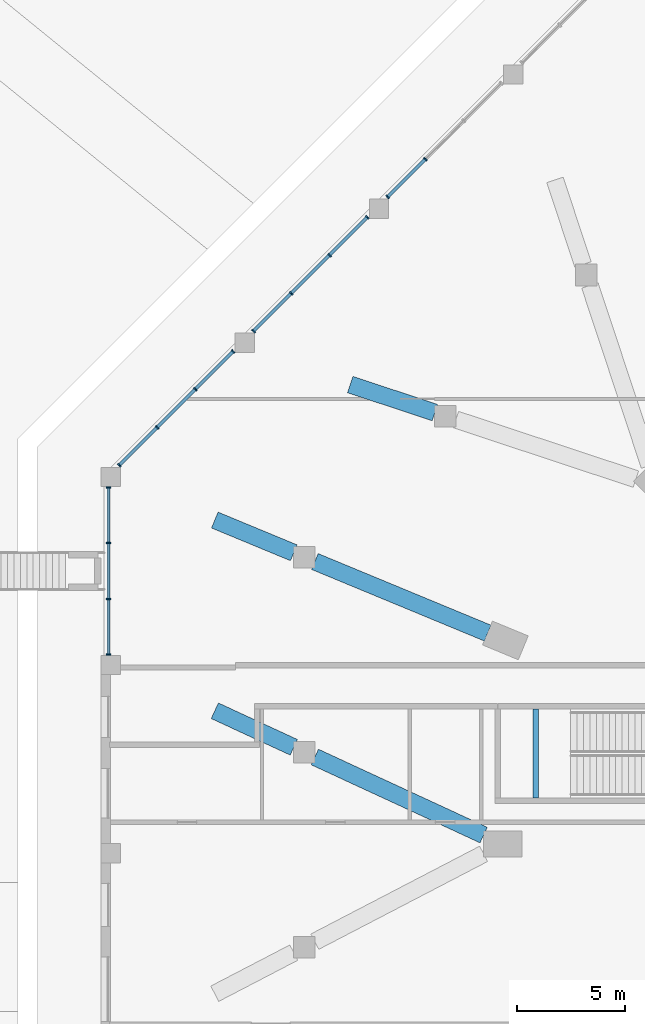
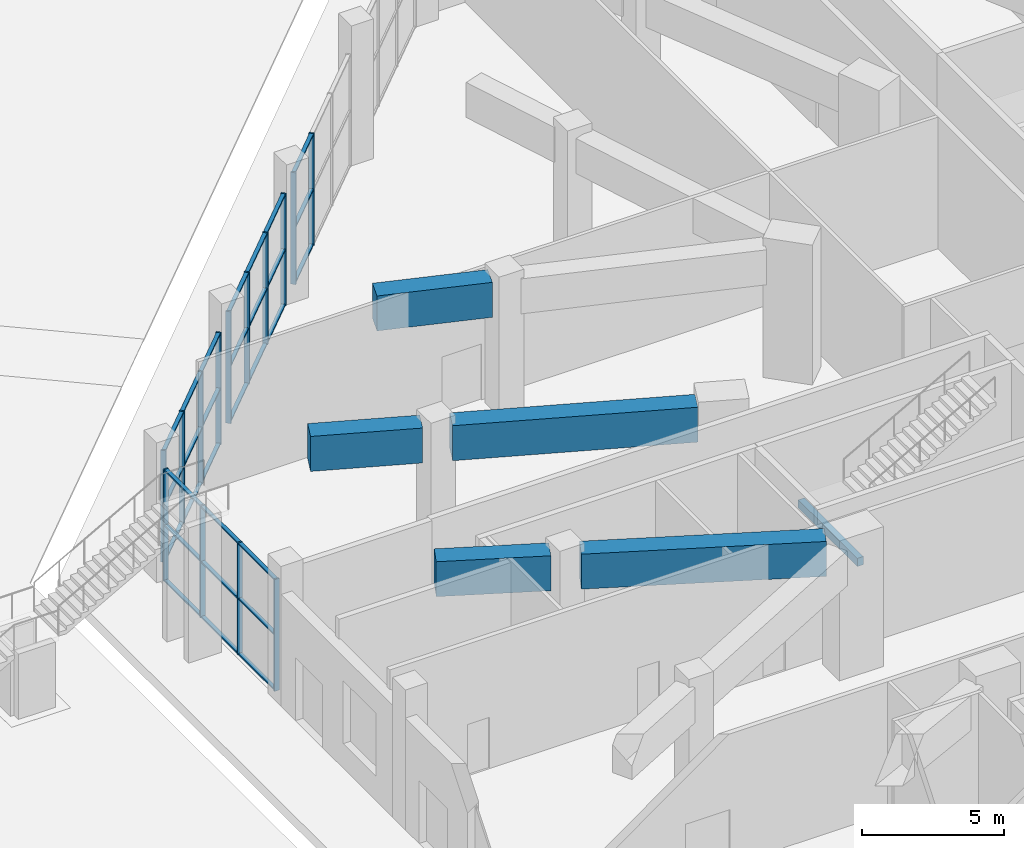
# One storey, part 10 of 36: 44 members, 6 beams, 4 elements without a shape of their own.
"""IFC4 building model written with IfcOpenShell, lengths in metres."""

import ifcopenshell
import ifcopenshell.guid

model = None  # the IFC model being written
_history = None  # IfcOwnerHistory: only IFC2X3 demands one
_inside = {}  # id of a spatial element -> (the spatial element, [elements in it])
_under = {}  # id of a project, library or spatial element -> (it, [spatial elements below it])
_declared = {}  # id of a project -> (the project, [libraries it declares])
_typed = {}  # id of a type object -> (the type object, [elements of that type])
_made_of = {}  # id of a material, layer set ... -> (it, [elements and type objects made of it])


def new_model(schema):
    """Start an empty IFC model of exactly this schema.

    Asked for "IFC4X3", IfcOpenShell would pick the latest addendum, in which some entities
    have other attributes; the version numbers below select the first issue.
    IFC2X3 requires an IfcOwnerHistory on every rooted entity: one is made here for all.
    """
    global model, _history
    if schema == "IFC4X3":
        model = ifcopenshell.file(schema_version=(4, 3, 0, 0))
    else:
        model = ifcopenshell.file(schema=schema)
    _inside.clear()
    _under.clear()
    _declared.clear()
    _typed.clear()
    _made_of.clear()
    _history = None
    if model.schema == "IFC2X3":
        org = make("IfcOrganization", Name="unknown")
        user = make(
            "IfcPersonAndOrganization",
            ThePerson=make("IfcPerson", FamilyName="unknown"),
            TheOrganization=org,
        )
        app = make(
            "IfcApplication",
            ApplicationDeveloper=org,
            Version="unknown",
            ApplicationFullName="unknown",
            ApplicationIdentifier="unknown",
        )
        _history = make(
            "IfcOwnerHistory",
            OwningUser=user,
            OwningApplication=app,
            ChangeAction="ADDED",
            CreationDate=0,
        )
    return model


def make(cls, **values):
    """One entity of the class cls with the attributes given. An attribute that is None is left unset."""
    return model.create_entity(
        cls, **{name: value for name, value in values.items() if value is not None}
    )


def rooted(cls, **values):
    """An entity with a GlobalId (a new one), such as an element, a storey or a relation."""
    return make(cls, GlobalId=ifcopenshell.guid.new(), OwnerHistory=_history, **values)


def si_unit(unit_type, name, prefix=None):
    """IfcSIUnit, for example si_unit("LENGTHUNIT", "METRE", prefix="MILLI")."""
    return make("IfcSIUnit", UnitType=unit_type, Prefix=prefix, Name=name)


def assignment(units):
    """IfcUnitAssignment: the units of a project."""
    return None if units is None else make("IfcUnitAssignment", Units=units)


def point(xyz):
    """IfcCartesianPoint."""
    return None if xyz is None else make("IfcCartesianPoint", Coordinates=xyz)


def direction(xyz):
    """IfcDirection."""
    return None if xyz is None else make("IfcDirection", DirectionRatios=xyz)


def frame(location, z_axis=None, x_axis=None):
    """IfcAxis2Placement3D, a coordinate frame: its origin and axes. An axis left out is left unset."""
    return make(
        "IfcAxis2Placement3D",
        Location=point(location),
        Axis=direction(z_axis),
        RefDirection=direction(x_axis),
    )


def frame_2d(location, x_axis=None):
    """IfcAxis2Placement2D, a coordinate frame in the plane: its origin and x axis."""
    return make(
        "IfcAxis2Placement2D", Location=point(location), RefDirection=direction(x_axis)
    )


def origin():
    """The frame at (0, 0, 0) with its axes left unset."""
    return frame((0.0, 0.0, 0.0))


def origin_2d():
    """The frame at (0, 0) in the plane with its x axis left unset."""
    return frame_2d((0.0, 0.0))


def place(relative_to, where):
    """IfcLocalPlacement: puts the frame where relative to a parent placement (None: the world)."""
    return make(
        "IfcLocalPlacement", PlacementRelTo=relative_to, RelativePlacement=where
    )


def context(
    kind, dimensions, precision=None, world=None, true_north=None, identifier=None
):
    """IfcGeometricRepresentationContext, for example the 3D "Model" context."""
    return make(
        "IfcGeometricRepresentationContext",
        ContextIdentifier=identifier,
        ContextType=kind,
        CoordinateSpaceDimension=dimensions,
        Precision=precision,
        WorldCoordinateSystem=world,
        TrueNorth=true_north,
    )


def subcontext(parent, identifier, kind, view, scale=None):
    """IfcGeometricRepresentationSubContext, for example "Body" below "Model"."""
    return make(
        "IfcGeometricRepresentationSubContext",
        ContextIdentifier=identifier,
        ContextType=kind,
        ParentContext=parent,
        TargetScale=scale,
        TargetView=view,
    )


def project(units=None, contexts=None):
    """IfcProject with its units and contexts."""
    return rooted(
        "IfcProject",
        Name="project",
        RepresentationContexts=contexts,
        UnitsInContext=assignment(units),
    )


def spatial(cls, under=None, at=None, **own):
    """A site, building, storey or space (cls), placed at a placement, below another one or the project."""
    s = rooted(cls, ObjectPlacement=at, **own)
    if under is not None:
        _under.setdefault(under.id(), (under, []))[1].append(s)
    return s


def profile(cls, at=None, kind="AREA", **sizes):
    """A parametric profile (cls). Its sizes go by their IFC names, for example OverallWidth=200.0."""
    return make(cls, ProfileType=kind, Position=at, **sizes)


def rectangle(**sizes):
    """IfcRectangleProfileDef."""
    return profile("IfcRectangleProfileDef", **sizes)


def extrude(swept, where, along, depth):
    """IfcExtrudedAreaSolid: the profile swept, set in the frame where, extruded along a direction by depth."""
    return make(
        "IfcExtrudedAreaSolid",
        SweptArea=swept,
        Position=where,
        ExtrudedDirection=direction(along),
        Depth=depth,
    )


def shape(context_of_items, identifier, shape_type, items):
    """IfcShapeRepresentation: the items that make up one representation, for example the "Body"."""
    return make(
        "IfcShapeRepresentation",
        ContextOfItems=context_of_items,
        RepresentationIdentifier=identifier,
        RepresentationType=shape_type,
        Items=items,
    )


def material(Name=None, Category=None):
    """IfcMaterial."""
    return make("IfcMaterial", Name=Name, Category=Category)


def material_profile(
    of_material, cross_section, Name=None, Category=None, Priority=None
):
    """IfcMaterialProfile: a cross section and its material."""
    return make(
        "IfcMaterialProfile",
        Name=Name,
        Material=of_material,
        Profile=cross_section,
        Priority=Priority,
        Category=Category,
    )


def profile_set(profiles, Name=None, composite=None):
    """IfcMaterialProfileSet."""
    return make(
        "IfcMaterialProfileSet",
        Name=Name,
        MaterialProfiles=profiles,
        CompositeProfile=composite,
    )


def made_of(thing, what):
    """Note that an element or type object is made of a material, layer set ...; save() writes the relation."""
    if what is not None:
        _made_of.setdefault(what.id(), (what, []))[1].append(thing)
    return thing


def type_object(cls, material=None, **own):
    """A type object (cls), such as IfcWallType, which elements share."""
    return made_of(rooted(cls, **own), material)


def element(
    cls,
    number,
    at=None,
    inside=None,
    cuts=None,
    type_object=None,
    material=None,
    context=None,
    identifier="Body",
    shape_type=None,
    held_by="IfcProductDefinitionShape",
    body=None,
    shapes=None,
    **own,
):
    """One element of the class cls, such as IfcWall. Its Tag is "e" and its number.

    at: its placement. inside: the storey or other place that contains it. cuts: it is an
    opening in that element (IfcRelVoidsElement). A single representation is given by context,
    identifier, shape_type and body (its items); several are given by shapes. held_by: the class
    of the entity that holds the representations. save() writes the other relations.
    """
    e = rooted(cls, Tag="e%d" % number, ObjectPlacement=at, **own)
    if body is not None:
        shapes = [shape(context, identifier, shape_type, body)]
    if shapes is not None:
        e.Representation = make(held_by, Representations=shapes)
    if inside is not None:
        _inside.setdefault(inside.id(), (inside, []))[1].append(e)
    if cuts is not None:
        rooted(
            "IfcRelVoidsElement", RelatingBuildingElement=cuts, RelatedOpeningElement=e
        )
    if type_object is not None:
        _typed.setdefault(type_object.id(), (type_object, []))[1].append(e)
    return made_of(e, material)


def aggregate(whole, parts):
    """IfcRelAggregates: a whole, such as a stair, and the parts it consists of."""
    return rooted("IfcRelAggregates", RelatingObject=whole, RelatedObjects=parts)


def save(model, path):
    """Write the relations noted so far, then the file.

    IfcRelAggregates (storeys below a building ...), IfcRelContainedInSpatialStructure (elements
    in a storey), IfcRelDefinesByType, IfcRelAssociatesMaterial and IfcRelDeclares: one each for
    every whole, place, type object, material and project.
    """
    for whole, parts in _under.values():
        aggregate(whole, parts)
    for where, things in _inside.values():
        rooted(
            "IfcRelContainedInSpatialStructure",
            RelatedElements=things,
            RelatingStructure=where,
        )
    for kind, things in _typed.values():
        rooted("IfcRelDefinesByType", RelatedObjects=things, RelatingType=kind)
    for what, things in _made_of.values():
        rooted("IfcRelAssociatesMaterial", RelatedObjects=things, RelatingMaterial=what)
    for by, libraries in _declared.values():
        rooted("IfcRelDeclares", RelatingContext=by, RelatedDefinitions=libraries)
    model.write(path)


model = new_model("IFC4")

# Units and contexts
model_context = context("Model", 3, precision=1e-05, world=origin(), true_north=direction((0.0, 1.0)))
body_context = subcontext(model_context, "Body", "Model", "MODEL_VIEW")
ifc_project = project(units=[si_unit("LENGTHUNIT", "METRE"), si_unit("AREAUNIT", "SQUARE_METRE"), si_unit("VOLUMEUNIT", "CUBIC_METRE"), si_unit("PLANEANGLEUNIT", "RADIAN"), si_unit("MASSUNIT", "GRAM", prefix="KILO")], contexts=[model_context])

# Site, building, storey
site_placement = place(None, origin())
site = spatial("IfcSite", under=ifc_project, at=site_placement, CompositionType="ELEMENT")
building_placement = place(site_placement, origin())
building = spatial("IfcBuilding", under=site, at=building_placement, Name="Msitu Wima Residences", CompositionType="ELEMENT")
storey_placement = place(building_placement, origin())
storey = spatial("IfcBuildingStorey", under=building, at=storey_placement, Name="L00", CompositionType="ELEMENT", Elevation=0.0)

# Beam
ifc_material_1 = material(Name="Concrete C40/50", Category="concrete")
ifc_material_profile_1 = material_profile(ifc_material_1, rectangle(XDim=0.25, YDim=0.35009765625, at=origin_2d()), Name="RC 250x350")
ifc_profile_set_1 = profile_set([ifc_material_profile_1], Name="Concrete C40/50")
beam_type_1 = type_object("IfcBeamType", Name="Landing beam RC 250x350", PredefinedType="BEAM", material=ifc_profile_set_1)
beam_1_placement = place(storey_placement, frame((-27.050048828125, 6.925048828125, 2.625), z_axis=(0.0, 1.0, 0.0), x_axis=(-1.0, 0.0, 0.0)))
element("IfcBeam", 1, at=beam_1_placement, inside=storey, type_object=beam_type_1, Name="Podium exit stair 6 landing beam", PredefinedType="BEAM", context=body_context, shape_type="SweptSolid", body=[
    extrude(rectangle(XDim=0.25, YDim=0.35009765625, at=origin_2d()), origin(), (0.0, 0.0, 1.0), 4.14990234375),
])

# Curtain wall, members
ifc_material_2 = material(Name="Anodised aluminium, bronze finish, clear laminated low-emissivity double glazing", Category="aluminium")
curtain_wall_type = type_object("IfcCurtainWallType", Name="Curtain wall CW1 shopfront", PredefinedType="NOTDEFINED", material=ifc_material_2)
curtain_wall_1_placement = place(storey_placement, origin())
curtain_wall_1 = element("IfcCurtainWall", 2, at=curtain_wall_1_placement, inside=storey, type_object=curtain_wall_type, Name="Curtain wall CW1 L00 NW1", PredefinedType="NOTDEFINED")
ifc_material_3 = material(Name="Anodised aluminium, bronze finish", Category="aluminium")
ifc_material_profile_2 = material_profile(ifc_material_3, rectangle(XDim=0.199951171875, YDim=0.06494140625, at=origin_2d()), Name="Mullion 65x200")
ifc_profile_set_2 = profile_set([ifc_material_profile_2], Name="Anodised aluminium, bronze finish")
member_type_1 = type_object("IfcMemberType", Name="Mullion CW1 65x200", PredefinedType="MULLION", material=ifc_profile_set_2)
member_1_placement = place(storey_placement, frame((-32.169921875, 36.627197265625, 0.0), z_axis=(0.0, 0.0, 1.0), x_axis=(0.707106781187, -0.707106781187, 0.0)))
member_1 = element("IfcMember", 3, at=member_1_placement, type_object=member_type_1, Name="CW1 mullion 3", PredefinedType="MULLION", context=body_context, shape_type="SweptSolid", body=[
    extrude(rectangle(XDim=0.199951171875, YDim=0.06494140625, at=origin_2d()), origin(), (0.0, 0.0, 1.0), 4.800048828125),
])
member_2_placement = place(storey_placement, frame((-33.925537109375, 34.87158203125, 0.0), z_axis=(0.0, 0.0, 1.0), x_axis=(0.707106781187, -0.707106781187, 0.0)))
member_2 = element("IfcMember", 4, at=member_2_placement, type_object=member_type_1, Name="CW1 mullion 4", PredefinedType="MULLION", context=body_context, shape_type="SweptSolid", body=[
    extrude(rectangle(XDim=0.199951171875, YDim=0.06494140625, at=origin_2d()), origin(), (0.0, 0.0, 1.0), 4.800048828125),
])

curtain_wall_2_placement = place(storey_placement, origin())
curtain_wall_2 = element("IfcCurtainWall", 5, at=curtain_wall_2_placement, inside=storey, type_object=curtain_wall_type, Name="Curtain wall CW1 L00 NW2", PredefinedType="NOTDEFINED")
member_3_placement = place(storey_placement, frame((-34.87158203125, 33.925537109375, 0.0), z_axis=(0.0, 0.0, 1.0), x_axis=(0.707106781187, -0.707106781187, 0.0)))
member_3 = element("IfcMember", 6, at=member_3_placement, type_object=member_type_1, Name="CW1 mullion 1", PredefinedType="MULLION", context=body_context, shape_type="SweptSolid", body=[
    extrude(rectangle(XDim=0.199951171875, YDim=0.06494140625, at=origin_2d()), origin(), (0.0, 0.0, 1.0), 4.800048828125),
])
member_4_placement = place(storey_placement, frame((-36.627197265625, 32.169921875, 0.0), z_axis=(0.0, 0.0, 1.0), x_axis=(0.707106781187, -0.707106781187, 0.0)))
member_4 = element("IfcMember", 7, at=member_4_placement, type_object=member_type_1, Name="CW1 mullion 2", PredefinedType="MULLION", context=body_context, shape_type="SweptSolid", body=[
    extrude(rectangle(XDim=0.199951171875, YDim=0.06494140625, at=origin_2d()), origin(), (0.0, 0.0, 1.0), 4.800048828125),
])
member_5_placement = place(storey_placement, frame((-38.406005859375, 30.391357421875, 0.0), z_axis=(0.0, 0.0, 1.0), x_axis=(0.707106781187, -0.707106781187, 0.0)))
member_5 = element("IfcMember", 8, at=member_5_placement, type_object=member_type_1, Name="CW1 mullion 3", PredefinedType="MULLION", context=body_context, shape_type="SweptSolid", body=[
    extrude(rectangle(XDim=0.199951171875, YDim=0.06494140625, at=origin_2d()), origin(), (0.0, 0.0, 1.0), 4.800048828125),
])
member_6_placement = place(storey_placement, frame((-40.16162109375, 28.635498046875, 0.0), z_axis=(0.0, 0.0, 1.0), x_axis=(0.707106781187, -0.707106781187, 0.0)))
member_6 = element("IfcMember", 9, at=member_6_placement, type_object=member_type_1, Name="CW1 mullion 4", PredefinedType="MULLION", context=body_context, shape_type="SweptSolid", body=[
    extrude(rectangle(XDim=0.199951171875, YDim=0.06494140625, at=origin_2d()), origin(), (0.0, 0.0, 1.0), 4.800048828125),
])

curtain_wall_3_placement = place(storey_placement, origin())
curtain_wall_3 = element("IfcCurtainWall", 10, at=curtain_wall_3_placement, inside=storey, type_object=curtain_wall_type, Name="Curtain wall CW1 L00 NW3", PredefinedType="NOTDEFINED")
member_7_placement = place(storey_placement, frame((-41.107666015625, 27.689697265625, 0.0), z_axis=(0.0, 0.0, 1.0), x_axis=(0.707106847447, -0.707106714926, 0.0)))
member_7 = element("IfcMember", 11, at=member_7_placement, type_object=member_type_1, Name="CW1 mullion 1", PredefinedType="MULLION", context=body_context, shape_type="SweptSolid", body=[
    extrude(rectangle(XDim=0.199951171875, YDim=0.06494140625, at=origin_2d()), origin(), (0.0, 0.0, 1.0), 4.800048828125),
])
member_8_placement = place(storey_placement, frame((-42.86328125, 25.933837890625, 0.0), z_axis=(0.0, 0.0, 1.0), x_axis=(0.707106847447, -0.707106714926, 0.0)))
member_8 = element("IfcMember", 12, at=member_8_placement, type_object=member_type_1, Name="CW1 mullion 2", PredefinedType="MULLION", context=body_context, shape_type="SweptSolid", body=[
    extrude(rectangle(XDim=0.199951171875, YDim=0.06494140625, at=origin_2d()), origin(), (0.0, 0.0, 1.0), 4.800048828125),
])
member_9_placement = place(storey_placement, frame((-44.64208984375, 24.1552734375, 0.0), z_axis=(0.0, 0.0, 1.0), x_axis=(0.707106847447, -0.707106714926, 0.0)))
member_9 = element("IfcMember", 13, at=member_9_placement, type_object=member_type_1, Name="CW1 mullion 3", PredefinedType="MULLION", context=body_context, shape_type="SweptSolid", body=[
    extrude(rectangle(XDim=0.199951171875, YDim=0.06494140625, at=origin_2d()), origin(), (0.0, 0.0, 1.0), 4.800048828125),
])
member_10_placement = place(storey_placement, frame((-46.397705078125, 22.3994140625, 0.0), z_axis=(0.0, 0.0, 1.0), x_axis=(0.707106847447, -0.707106714926, 0.0)))
member_10 = element("IfcMember", 14, at=member_10_placement, type_object=member_type_1, Name="CW1 mullion 4", PredefinedType="MULLION", context=body_context, shape_type="SweptSolid", body=[
    extrude(rectangle(XDim=0.199951171875, YDim=0.06494140625, at=origin_2d()), origin(), (0.0, 0.0, 1.0), 4.800048828125),
])

curtain_wall_4_placement = place(storey_placement, origin())
curtain_wall_4 = element("IfcCurtainWall", 15, at=curtain_wall_4_placement, inside=storey, type_object=curtain_wall_type, Name="Curtain wall CW1 L00 W0", PredefinedType="NOTDEFINED")
member_11_placement = place(storey_placement, frame((-46.89990234375, 21.373291015625, 0.0), z_axis=(0.0, 0.0, 1.0), x_axis=(1.0, 0.0, 0.0)))
member_11 = element("IfcMember", 16, at=member_11_placement, type_object=member_type_1, Name="CW1 mullion 1", PredefinedType="MULLION", context=body_context, shape_type="SweptSolid", body=[
    extrude(rectangle(XDim=0.199951171875, YDim=0.06494140625, at=origin_2d()), origin(), (0.0, 0.0, 1.0), 4.800048828125),
])
member_12_placement = place(storey_placement, frame((-46.89990234375, 18.791748046875, 0.0), z_axis=(0.0, 0.0, 1.0), x_axis=(1.0, 0.0, 0.0)))
member_12 = element("IfcMember", 17, at=member_12_placement, type_object=member_type_1, Name="CW1 mullion 2", PredefinedType="MULLION", context=body_context, shape_type="SweptSolid", body=[
    extrude(rectangle(XDim=0.199951171875, YDim=0.06494140625, at=origin_2d()), origin(), (0.0, 0.0, 1.0), 4.800048828125),
])
member_13_placement = place(storey_placement, frame((-46.89990234375, 16.177734375, 0.0), z_axis=(0.0, 0.0, 1.0), x_axis=(1.0, 0.0, 0.0)))
member_13 = element("IfcMember", 18, at=member_13_placement, type_object=member_type_1, Name="CW1 mullion 3", PredefinedType="MULLION", context=body_context, shape_type="SweptSolid", body=[
    extrude(rectangle(XDim=0.199951171875, YDim=0.06494140625, at=origin_2d()), origin(), (0.0, 0.0, 1.0), 4.800048828125),
])
member_14_placement = place(storey_placement, frame((-46.89990234375, 13.595947265625, 0.0), z_axis=(0.0, 0.0, 1.0), x_axis=(1.0, 0.0, 0.0)))
member_14 = element("IfcMember", 19, at=member_14_placement, type_object=member_type_1, Name="CW1 mullion 4", PredefinedType="MULLION", context=body_context, shape_type="SweptSolid", body=[
    extrude(rectangle(XDim=0.199951171875, YDim=0.06494140625, at=origin_2d()), origin(), (0.0, 0.0, 1.0), 4.800048828125),
])

# Beams
ifc_material_4 = material(Name="Concrete C60/75", Category="concrete")
ifc_material_profile_3 = material_profile(ifc_material_4, rectangle(XDim=0.800048828125, YDim=1.5, at=origin_2d()), Name="RC 800x1500")
ifc_profile_set_3 = profile_set([ifc_material_profile_3], Name="Concrete C60/75")
beam_type_2 = type_object("IfcBeamType", Name="Podium cantilever girder RC 800x1500 Concrete C60/75", PredefinedType="BEAM", material=ifc_profile_set_3)
beam_2_placement = place(storey_placement, frame((-29.274658203125, 14.5966796875, 4.89990234375), z_axis=(-0.923886159432, 0.382667433171, 0.0), x_axis=(-0.382667433171, -0.923886159432, 0.0)))
element("IfcBeam", 20, at=beam_2_placement, inside=storey, type_object=beam_type_2, Name="Podium cantilever girder L01 C-W0 back-span", PredefinedType="BEAM", context=body_context, shape_type="SweptSolid", body=[
    extrude(rectangle(XDim=0.800048828125, YDim=1.5, at=origin_2d()), origin(), (0.0, 0.0, 1.0), 8.698486328125),
])
beam_3_placement = place(storey_placement, frame((-29.464111328125, 5.2109375, 4.89990234375), z_axis=(-0.907721172482, 0.419573918432, 0.0), x_axis=(-0.419573918432, -0.907721172482, 0.0)))
element("IfcBeam", 21, at=beam_3_placement, inside=storey, type_object=beam_type_2, Name="Podium cantilever girder L01 C-W1 back-span", PredefinedType="BEAM", context=body_context, shape_type="SweptSolid", body=[
    extrude(rectangle(XDim=0.800048828125, YDim=1.5, at=origin_2d()), origin(), (0.0, 0.0, 1.0), 8.644287109375),
])
ifc_material_profile_4 = material_profile(ifc_material_4, rectangle(XDim=0.800048828125, YDim=1.5, at=origin_2d()), Name="RC 800x1500")
ifc_profile_set_4 = profile_set([ifc_material_profile_4], Name="Concrete C60/75")
beam_type_3 = type_object("IfcBeamType", Name="Podium cantilever girder tip RC 800x1500 Concrete C60/75", PredefinedType="BEAM", material=ifc_profile_set_4)
beam_4_placement = place(storey_placement, frame((-31.731201171875, 24.846923828125, 4.89990234375), z_axis=(-0.949335494169, 0.314264410189, 0.0), x_axis=(-0.314264410189, -0.949335494169, 0.0)))
element("IfcBeam", 22, at=beam_4_placement, inside=storey, type_object=beam_type_3, Name="Podium cantilever girder L01 C-NW2 cantilever", PredefinedType="BEAM", context=body_context, shape_type="SweptSolid", body=[
    extrude(rectangle(XDim=0.800048828125, YDim=1.5, at=origin_2d()), origin(), (0.0, 0.0, 1.0), 4.142333984375),
])
beam_5_placement = place(storey_placement, frame((-38.288818359375, 18.330322265625, 4.89990234375), z_axis=(-0.923870855056, 0.382704380924, 0.0), x_axis=(-0.382704380924, -0.923870855056, 0.0)))
element("IfcBeam", 23, at=beam_5_placement, inside=storey, type_object=beam_type_3, Name="Podium cantilever girder L01 C-W0 cantilever", PredefinedType="BEAM", context=body_context, shape_type="SweptSolid", body=[
    extrude(rectangle(XDim=0.800048828125, YDim=1.5, at=origin_2d()), origin(), (0.0, 0.0, 1.0), 3.974853515625),
])
beam_6_placement = place(storey_placement, frame((-38.2890625, 9.2900390625, 4.89990234375), z_axis=(-0.907718998306, 0.419578622089, 0.0), x_axis=(-0.419578622089, -0.907718998306, 0.0)))
element("IfcBeam", 24, at=beam_6_placement, inside=storey, type_object=beam_type_3, Name="Podium cantilever girder L01 C-W1 cantilever", PredefinedType="BEAM", context=body_context, shape_type="SweptSolid", body=[
    extrude(rectangle(XDim=0.800048828125, YDim=1.5, at=origin_2d()), origin(), (0.0, 0.0, 1.0), 4.045166015625),
])

# Member
ifc_material_profile_5 = material_profile(ifc_material_3, rectangle(XDim=0.14990234375, YDim=0.06494140625, at=origin_2d()), Name="Transom 65x150")
ifc_profile_set_5 = profile_set([ifc_material_profile_5], Name="Anodised aluminium, bronze finish")
member_type_2 = type_object("IfcMemberType", Name="Transom CW1 65x150", PredefinedType="USERDEFINED", material=ifc_profile_set_5)
member_15_placement = place(storey_placement, frame((-32.19287109375, 36.604248046875, 0.032470703125), z_axis=(-0.707106781187, -0.707106781187, 0.0), x_axis=(0.707106781187, -0.707106781187, 0.0)))
member_15 = element("IfcMember", 25, at=member_15_placement, type_object=member_type_2, Name="CW1 transom 3.1", ObjectType="TRANSOM", PredefinedType="USERDEFINED", context=body_context, shape_type="SweptSolid", body=[
    extrude(rectangle(XDim=0.14990234375, YDim=0.06494140625, at=origin_2d()), origin(), (0.0, 0.0, 1.0), 2.41796875),
])

member_16_placement = place(storey_placement, frame((-32.19287109375, 36.604248046875, 2.39990234375), z_axis=(-0.707106781187, -0.707106781187, 0.0), x_axis=(0.707106781187, -0.707106781187, 0.0)))
member_16 = element("IfcMember", 26, at=member_16_placement, type_object=member_type_2, Name="CW1 transom 3.2", ObjectType="TRANSOM", PredefinedType="USERDEFINED", context=body_context, shape_type="SweptSolid", body=[
    extrude(rectangle(XDim=0.14990234375, YDim=0.06494140625, at=origin_2d()), origin(), (0.0, 0.0, 1.0), 2.41796875),
])

member_17_placement = place(storey_placement, frame((-32.19287109375, 36.604248046875, 4.767578125), z_axis=(-0.707106781187, -0.707106781187, 0.0), x_axis=(0.707106781187, -0.707106781187, 0.0)))
member_17 = element("IfcMember", 27, at=member_17_placement, type_object=member_type_2, Name="CW1 transom 3.3", ObjectType="TRANSOM", PredefinedType="USERDEFINED", context=body_context, shape_type="SweptSolid", body=[
    extrude(rectangle(XDim=0.14990234375, YDim=0.06494140625, at=origin_2d()), origin(), (0.0, 0.0, 1.0), 2.41796875),
])

aggregate(curtain_wall_1, [member_1, member_2, member_15, member_16, member_17])

member_18_placement = place(storey_placement, frame((-34.89453125, 33.902587890625, 0.032470703125), z_axis=(-0.707106781187, -0.707106781187, 0.0), x_axis=(0.707106781187, -0.707106781187, 0.0)))
member_18 = element("IfcMember", 28, at=member_18_placement, type_object=member_type_2, Name="CW1 transom 1.1", ObjectType="TRANSOM", PredefinedType="USERDEFINED", context=body_context, shape_type="SweptSolid", body=[
    extrude(rectangle(XDim=0.14990234375, YDim=0.06494140625, at=origin_2d()), origin(), (0.0, 0.0, 1.0), 2.41796875),
])

member_19_placement = place(storey_placement, frame((-34.89453125, 33.902587890625, 2.39990234375), z_axis=(-0.707106781187, -0.707106781187, 0.0), x_axis=(0.707106781187, -0.707106781187, 0.0)))
member_19 = element("IfcMember", 29, at=member_19_placement, type_object=member_type_2, Name="CW1 transom 1.2", ObjectType="TRANSOM", PredefinedType="USERDEFINED", context=body_context, shape_type="SweptSolid", body=[
    extrude(rectangle(XDim=0.14990234375, YDim=0.06494140625, at=origin_2d()), origin(), (0.0, 0.0, 1.0), 2.41796875),
])

member_20_placement = place(storey_placement, frame((-34.89453125, 33.902587890625, 4.767578125), z_axis=(-0.707106781187, -0.707106781187, 0.0), x_axis=(0.707106781187, -0.707106781187, 0.0)))
member_20 = element("IfcMember", 30, at=member_20_placement, type_object=member_type_2, Name="CW1 transom 1.3", ObjectType="TRANSOM", PredefinedType="USERDEFINED", context=body_context, shape_type="SweptSolid", body=[
    extrude(rectangle(XDim=0.14990234375, YDim=0.06494140625, at=origin_2d()), origin(), (0.0, 0.0, 1.0), 2.41796875),
])

member_21_placement = place(storey_placement, frame((-36.650390625, 32.14697265625, 0.032470703125), z_axis=(-0.707106781187, -0.707106781187, 0.0), x_axis=(0.707106781187, -0.707106781187, 0.0)))
member_21 = element("IfcMember", 31, at=member_21_placement, type_object=member_type_2, Name="CW1 transom 2.1", ObjectType="TRANSOM", PredefinedType="USERDEFINED", context=body_context, shape_type="SweptSolid", body=[
    extrude(rectangle(XDim=0.14990234375, YDim=0.06494140625, at=origin_2d()), origin(), (0.0, 0.0, 1.0), 2.450439453125),
])

member_22_placement = place(storey_placement, frame((-36.650390625, 32.14697265625, 2.39990234375), z_axis=(-0.707106781187, -0.707106781187, 0.0), x_axis=(0.707106781187, -0.707106781187, 0.0)))
member_22 = element("IfcMember", 32, at=member_22_placement, type_object=member_type_2, Name="CW1 transom 2.2", ObjectType="TRANSOM", PredefinedType="USERDEFINED", context=body_context, shape_type="SweptSolid", body=[
    extrude(rectangle(XDim=0.14990234375, YDim=0.06494140625, at=origin_2d()), origin(), (0.0, 0.0, 1.0), 2.450439453125),
])

member_23_placement = place(storey_placement, frame((-36.650390625, 32.14697265625, 4.767578125), z_axis=(-0.707106781187, -0.707106781187, 0.0), x_axis=(0.707106781187, -0.707106781187, 0.0)))
member_23 = element("IfcMember", 33, at=member_23_placement, type_object=member_type_2, Name="CW1 transom 2.3", ObjectType="TRANSOM", PredefinedType="USERDEFINED", context=body_context, shape_type="SweptSolid", body=[
    extrude(rectangle(XDim=0.14990234375, YDim=0.06494140625, at=origin_2d()), origin(), (0.0, 0.0, 1.0), 2.450439453125),
])

member_24_placement = place(storey_placement, frame((-38.428955078125, 30.368408203125, 0.032470703125), z_axis=(-0.707056296999, -0.70715726177, 0.0), x_axis=(0.70715726177, -0.707056296999, 0.0)))
member_24 = element("IfcMember", 34, at=member_24_placement, type_object=member_type_2, Name="CW1 transom 3.1", ObjectType="TRANSOM", PredefinedType="USERDEFINED", context=body_context, shape_type="SweptSolid", body=[
    extrude(rectangle(XDim=0.14990234375, YDim=0.06494140625, at=origin_2d()), origin(), (0.0, 0.0, 1.0), 2.41796875),
])

member_25_placement = place(storey_placement, frame((-38.428955078125, 30.368408203125, 2.39990234375), z_axis=(-0.707056296999, -0.70715726177, 0.0), x_axis=(0.70715726177, -0.707056296999, 0.0)))
member_25 = element("IfcMember", 35, at=member_25_placement, type_object=member_type_2, Name="CW1 transom 3.2", ObjectType="TRANSOM", PredefinedType="USERDEFINED", context=body_context, shape_type="SweptSolid", body=[
    extrude(rectangle(XDim=0.14990234375, YDim=0.06494140625, at=origin_2d()), origin(), (0.0, 0.0, 1.0), 2.41796875),
])

member_26_placement = place(storey_placement, frame((-38.428955078125, 30.368408203125, 4.767578125), z_axis=(-0.707056296999, -0.70715726177, 0.0), x_axis=(0.70715726177, -0.707056296999, 0.0)))
member_26 = element("IfcMember", 36, at=member_26_placement, type_object=member_type_2, Name="CW1 transom 3.3", ObjectType="TRANSOM", PredefinedType="USERDEFINED", context=body_context, shape_type="SweptSolid", body=[
    extrude(rectangle(XDim=0.14990234375, YDim=0.06494140625, at=origin_2d()), origin(), (0.0, 0.0, 1.0), 2.41796875),
])

aggregate(curtain_wall_2, [member_3, member_4, member_5, member_6, member_18, member_19, member_20, member_21, member_22, member_23, member_24, member_25, member_26])

member_27_placement = place(storey_placement, frame((-41.130615234375, 27.666748046875, 0.032470703125), z_axis=(-0.707056296999, -0.70715726177, 0.0), x_axis=(0.70715726177, -0.707056296999, 0.0)))
member_27 = element("IfcMember", 37, at=member_27_placement, type_object=member_type_2, Name="CW1 transom 1.1", ObjectType="TRANSOM", PredefinedType="USERDEFINED", context=body_context, shape_type="SweptSolid", body=[
    extrude(rectangle(XDim=0.14990234375, YDim=0.06494140625, at=origin_2d()), origin(), (0.0, 0.0, 1.0), 2.41796875),
])

member_28_placement = place(storey_placement, frame((-41.130615234375, 27.666748046875, 2.39990234375), z_axis=(-0.707056296999, -0.70715726177, 0.0), x_axis=(0.70715726177, -0.707056296999, 0.0)))
member_28 = element("IfcMember", 38, at=member_28_placement, type_object=member_type_2, Name="CW1 transom 1.2", ObjectType="TRANSOM", PredefinedType="USERDEFINED", context=body_context, shape_type="SweptSolid", body=[
    extrude(rectangle(XDim=0.14990234375, YDim=0.06494140625, at=origin_2d()), origin(), (0.0, 0.0, 1.0), 2.41796875),
])

member_29_placement = place(storey_placement, frame((-41.130615234375, 27.666748046875, 4.767578125), z_axis=(-0.707056296999, -0.70715726177, 0.0), x_axis=(0.70715726177, -0.707056296999, 0.0)))
member_29 = element("IfcMember", 39, at=member_29_placement, type_object=member_type_2, Name="CW1 transom 1.3", ObjectType="TRANSOM", PredefinedType="USERDEFINED", context=body_context, shape_type="SweptSolid", body=[
    extrude(rectangle(XDim=0.14990234375, YDim=0.06494140625, at=origin_2d()), origin(), (0.0, 0.0, 1.0), 2.41796875),
])

member_30_placement = place(storey_placement, frame((-42.88623046875, 25.910888671875, 0.032470703125), z_axis=(-0.707156593224, -0.70705696564, 0.0), x_axis=(0.70705696564, -0.707156593224, 0.0)))
member_30 = element("IfcMember", 40, at=member_30_placement, type_object=member_type_2, Name="CW1 transom 2.1", ObjectType="TRANSOM", PredefinedType="USERDEFINED", context=body_context, shape_type="SweptSolid", body=[
    extrude(rectangle(XDim=0.14990234375, YDim=0.06494140625, at=origin_2d()), origin(), (0.0, 0.0, 1.0), 2.450439453125),
])

member_31_placement = place(storey_placement, frame((-42.88623046875, 25.910888671875, 2.39990234375), z_axis=(-0.707156593224, -0.70705696564, 0.0), x_axis=(0.70705696564, -0.707156593224, 0.0)))
member_31 = element("IfcMember", 41, at=member_31_placement, type_object=member_type_2, Name="CW1 transom 2.2", ObjectType="TRANSOM", PredefinedType="USERDEFINED", context=body_context, shape_type="SweptSolid", body=[
    extrude(rectangle(XDim=0.14990234375, YDim=0.06494140625, at=origin_2d()), origin(), (0.0, 0.0, 1.0), 2.450439453125),
])

member_32_placement = place(storey_placement, frame((-42.88623046875, 25.910888671875, 4.767578125), z_axis=(-0.707156593224, -0.70705696564, 0.0), x_axis=(0.70705696564, -0.707156593224, 0.0)))
member_32 = element("IfcMember", 42, at=member_32_placement, type_object=member_type_2, Name="CW1 transom 2.3", ObjectType="TRANSOM", PredefinedType="USERDEFINED", context=body_context, shape_type="SweptSolid", body=[
    extrude(rectangle(XDim=0.14990234375, YDim=0.06494140625, at=origin_2d()), origin(), (0.0, 0.0, 1.0), 2.450439453125),
])

member_33_placement = place(storey_placement, frame((-44.6650390625, 24.13232421875, 0.032470703125), z_axis=(-0.707106781187, -0.707106781187, 0.0), x_axis=(0.707106781187, -0.707106781187, 0.0)))
member_33 = element("IfcMember", 43, at=member_33_placement, type_object=member_type_2, Name="CW1 transom 3.1", ObjectType="TRANSOM", PredefinedType="USERDEFINED", context=body_context, shape_type="SweptSolid", body=[
    extrude(rectangle(XDim=0.14990234375, YDim=0.06494140625, at=origin_2d()), origin(), (0.0, 0.0, 1.0), 2.41796875),
])

member_34_placement = place(storey_placement, frame((-44.6650390625, 24.13232421875, 2.39990234375), z_axis=(-0.707106781187, -0.707106781187, 0.0), x_axis=(0.707106781187, -0.707106781187, 0.0)))
member_34 = element("IfcMember", 44, at=member_34_placement, type_object=member_type_2, Name="CW1 transom 3.2", ObjectType="TRANSOM", PredefinedType="USERDEFINED", context=body_context, shape_type="SweptSolid", body=[
    extrude(rectangle(XDim=0.14990234375, YDim=0.06494140625, at=origin_2d()), origin(), (0.0, 0.0, 1.0), 2.41796875),
])

member_35_placement = place(storey_placement, frame((-44.6650390625, 24.13232421875, 4.767578125), z_axis=(-0.707106781187, -0.707106781187, 0.0), x_axis=(0.707106781187, -0.707106781187, 0.0)))
member_35 = element("IfcMember", 45, at=member_35_placement, type_object=member_type_2, Name="CW1 transom 3.3", ObjectType="TRANSOM", PredefinedType="USERDEFINED", context=body_context, shape_type="SweptSolid", body=[
    extrude(rectangle(XDim=0.14990234375, YDim=0.06494140625, at=origin_2d()), origin(), (0.0, 0.0, 1.0), 2.41796875),
])

aggregate(curtain_wall_3, [member_7, member_8, member_9, member_10, member_27, member_28, member_29, member_30, member_31, member_32, member_33, member_34, member_35])

member_36_placement = place(storey_placement, frame((-46.89990234375, 21.3408203125, 0.032470703125), z_axis=(0.0, -1.0, 0.0), x_axis=(1.0, 0.0, 0.0)))
member_36 = element("IfcMember", 46, at=member_36_placement, type_object=member_type_2, Name="CW1 transom 1.1", ObjectType="TRANSOM", PredefinedType="USERDEFINED", context=body_context, shape_type="SweptSolid", body=[
    extrude(rectangle(XDim=0.14990234375, YDim=0.06494140625, at=origin_2d()), origin(), (0.0, 0.0, 1.0), 2.5166015625),
])

member_37_placement = place(storey_placement, frame((-46.89990234375, 21.3408203125, 2.39990234375), z_axis=(0.0, -1.0, 0.0), x_axis=(1.0, 0.0, 0.0)))
member_37 = element("IfcMember", 47, at=member_37_placement, type_object=member_type_2, Name="CW1 transom 1.2", ObjectType="TRANSOM", PredefinedType="USERDEFINED", context=body_context, shape_type="SweptSolid", body=[
    extrude(rectangle(XDim=0.14990234375, YDim=0.06494140625, at=origin_2d()), origin(), (0.0, 0.0, 1.0), 2.5166015625),
])

member_38_placement = place(storey_placement, frame((-46.89990234375, 21.3408203125, 4.767578125), z_axis=(0.0, -1.0, 0.0), x_axis=(1.0, 0.0, 0.0)))
member_38 = element("IfcMember", 48, at=member_38_placement, type_object=member_type_2, Name="CW1 transom 1.3", ObjectType="TRANSOM", PredefinedType="USERDEFINED", context=body_context, shape_type="SweptSolid", body=[
    extrude(rectangle(XDim=0.14990234375, YDim=0.06494140625, at=origin_2d()), origin(), (0.0, 0.0, 1.0), 2.5166015625),
])

member_39_placement = place(storey_placement, frame((-46.89990234375, 18.75927734375, 0.032470703125), z_axis=(0.0, -1.0, 0.0), x_axis=(1.0, 0.0, 0.0)))
member_39 = element("IfcMember", 49, at=member_39_placement, type_object=member_type_2, Name="CW1 transom 2.1", ObjectType="TRANSOM", PredefinedType="USERDEFINED", context=body_context, shape_type="SweptSolid", body=[
    extrude(rectangle(XDim=0.14990234375, YDim=0.06494140625, at=origin_2d()), origin(), (0.0, 0.0, 1.0), 2.549072265625),
])

member_40_placement = place(storey_placement, frame((-46.89990234375, 18.75927734375, 2.39990234375), z_axis=(0.0, -1.0, 0.0), x_axis=(1.0, 0.0, 0.0)))
member_40 = element("IfcMember", 50, at=member_40_placement, type_object=member_type_2, Name="CW1 transom 2.2", ObjectType="TRANSOM", PredefinedType="USERDEFINED", context=body_context, shape_type="SweptSolid", body=[
    extrude(rectangle(XDim=0.14990234375, YDim=0.06494140625, at=origin_2d()), origin(), (0.0, 0.0, 1.0), 2.549072265625),
])

member_41_placement = place(storey_placement, frame((-46.89990234375, 18.75927734375, 4.767578125), z_axis=(0.0, -1.0, 0.0), x_axis=(1.0, 0.0, 0.0)))
member_41 = element("IfcMember", 51, at=member_41_placement, type_object=member_type_2, Name="CW1 transom 2.3", ObjectType="TRANSOM", PredefinedType="USERDEFINED", context=body_context, shape_type="SweptSolid", body=[
    extrude(rectangle(XDim=0.14990234375, YDim=0.06494140625, at=origin_2d()), origin(), (0.0, 0.0, 1.0), 2.549072265625),
])

member_42_placement = place(storey_placement, frame((-46.89990234375, 16.14501953125, 0.032470703125), z_axis=(0.0, -1.0, 0.0), x_axis=(1.0, 0.0, 0.0)))
member_42 = element("IfcMember", 52, at=member_42_placement, type_object=member_type_2, Name="CW1 transom 3.1", ObjectType="TRANSOM", PredefinedType="USERDEFINED", context=body_context, shape_type="SweptSolid", body=[
    extrude(rectangle(XDim=0.14990234375, YDim=0.06494140625, at=origin_2d()), origin(), (0.0, 0.0, 1.0), 2.5166015625),
])

member_43_placement = place(storey_placement, frame((-46.89990234375, 16.14501953125, 2.39990234375), z_axis=(0.0, -1.0, 0.0), x_axis=(1.0, 0.0, 0.0)))
member_43 = element("IfcMember", 53, at=member_43_placement, type_object=member_type_2, Name="CW1 transom 3.2", ObjectType="TRANSOM", PredefinedType="USERDEFINED", context=body_context, shape_type="SweptSolid", body=[
    extrude(rectangle(XDim=0.14990234375, YDim=0.06494140625, at=origin_2d()), origin(), (0.0, 0.0, 1.0), 2.5166015625),
])

member_44_placement = place(storey_placement, frame((-46.89990234375, 16.14501953125, 4.767578125), z_axis=(0.0, -1.0, 0.0), x_axis=(1.0, 0.0, 0.0)))
member_44 = element("IfcMember", 54, at=member_44_placement, type_object=member_type_2, Name="CW1 transom 3.3", ObjectType="TRANSOM", PredefinedType="USERDEFINED", context=body_context, shape_type="SweptSolid", body=[
    extrude(rectangle(XDim=0.14990234375, YDim=0.06494140625, at=origin_2d()), origin(), (0.0, 0.0, 1.0), 2.5166015625),
])

aggregate(curtain_wall_4, [member_11, member_12, member_13, member_14, member_36, member_37, member_38, member_39, member_40, member_41, member_42, member_43, member_44])

save(model, "model.ifc")
